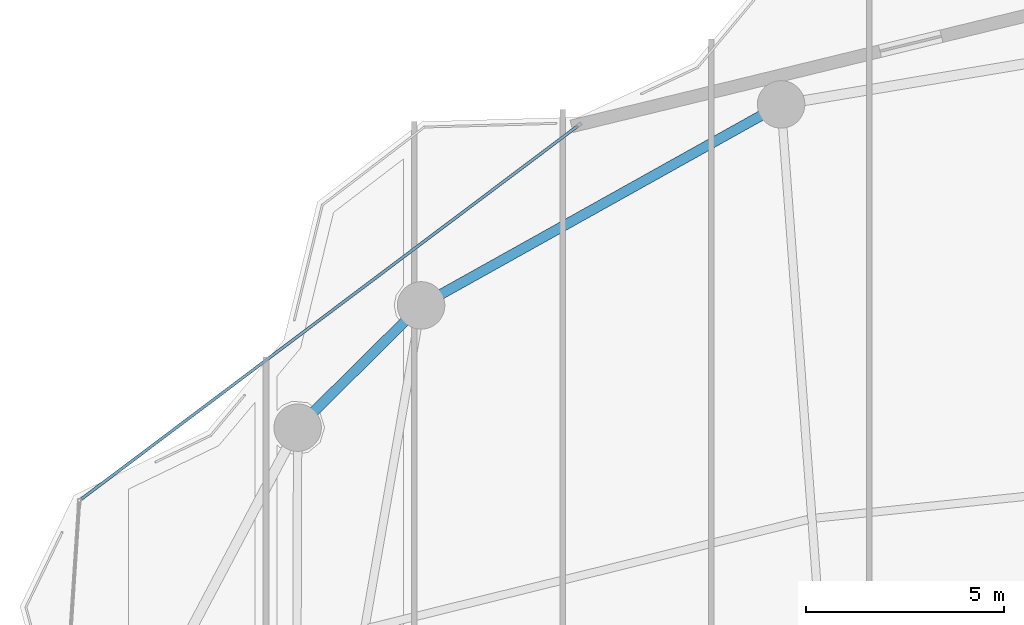
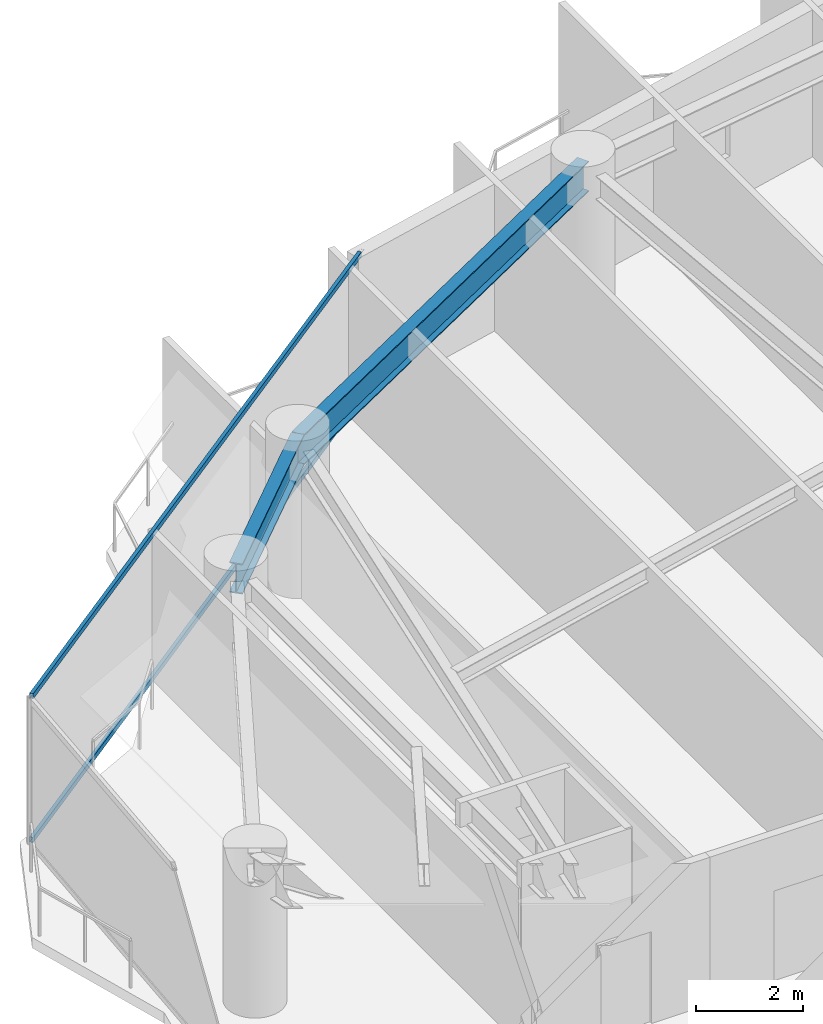
# One storey, part 17 of 31: 2 beams, 2 members, 1 element without a shape of its own.
"""IFC4 building model written with IfcOpenShell, lengths in metres."""

import ifcopenshell
import ifcopenshell.guid

model = None  # the IFC model being written
_history = None  # IfcOwnerHistory: only IFC2X3 demands one
_inside = {}  # id of a spatial element -> (the spatial element, [elements in it])
_under = {}  # id of a project, library or spatial element -> (it, [spatial elements below it])
_declared = {}  # id of a project -> (the project, [libraries it declares])
_typed = {}  # id of a type object -> (the type object, [elements of that type])
_made_of = {}  # id of a material, layer set ... -> (it, [elements and type objects made of it])


def new_model(schema):
    """Start an empty IFC model of exactly this schema.

    Asked for "IFC4X3", IfcOpenShell would pick the latest addendum, in which some entities
    have other attributes; the version numbers below select the first issue.
    IFC2X3 requires an IfcOwnerHistory on every rooted entity: one is made here for all.
    """
    global model, _history
    if schema == "IFC4X3":
        model = ifcopenshell.file(schema_version=(4, 3, 0, 0))
    else:
        model = ifcopenshell.file(schema=schema)
    _inside.clear()
    _under.clear()
    _declared.clear()
    _typed.clear()
    _made_of.clear()
    _history = None
    if model.schema == "IFC2X3":
        org = make("IfcOrganization", Name="unknown")
        user = make(
            "IfcPersonAndOrganization",
            ThePerson=make("IfcPerson", FamilyName="unknown"),
            TheOrganization=org,
        )
        app = make(
            "IfcApplication",
            ApplicationDeveloper=org,
            Version="unknown",
            ApplicationFullName="unknown",
            ApplicationIdentifier="unknown",
        )
        _history = make(
            "IfcOwnerHistory",
            OwningUser=user,
            OwningApplication=app,
            ChangeAction="ADDED",
            CreationDate=0,
        )
    return model


def make(cls, **values):
    """One entity of the class cls with the attributes given. An attribute that is None is left unset."""
    return model.create_entity(
        cls, **{name: value for name, value in values.items() if value is not None}
    )


def rooted(cls, **values):
    """An entity with a GlobalId (a new one), such as an element, a storey or a relation."""
    return make(cls, GlobalId=ifcopenshell.guid.new(), OwnerHistory=_history, **values)


def si_unit(unit_type, name, prefix=None):
    """IfcSIUnit, for example si_unit("LENGTHUNIT", "METRE", prefix="MILLI")."""
    return make("IfcSIUnit", UnitType=unit_type, Prefix=prefix, Name=name)


def assignment(units):
    """IfcUnitAssignment: the units of a project."""
    return None if units is None else make("IfcUnitAssignment", Units=units)


def point(xyz):
    """IfcCartesianPoint."""
    return None if xyz is None else make("IfcCartesianPoint", Coordinates=xyz)


def direction(xyz):
    """IfcDirection."""
    return None if xyz is None else make("IfcDirection", DirectionRatios=xyz)


def frame(location, z_axis=None, x_axis=None):
    """IfcAxis2Placement3D, a coordinate frame: its origin and axes. An axis left out is left unset."""
    return make(
        "IfcAxis2Placement3D",
        Location=point(location),
        Axis=direction(z_axis),
        RefDirection=direction(x_axis),
    )


def frame_2d(location, x_axis=None):
    """IfcAxis2Placement2D, a coordinate frame in the plane: its origin and x axis."""
    return make(
        "IfcAxis2Placement2D", Location=point(location), RefDirection=direction(x_axis)
    )


def origin():
    """The frame at (0, 0, 0) with its axes left unset."""
    return frame((0.0, 0.0, 0.0))


def origin_2d():
    """The frame at (0, 0) in the plane with its x axis left unset."""
    return frame_2d((0.0, 0.0))


def place(relative_to, where):
    """IfcLocalPlacement: puts the frame where relative to a parent placement (None: the world)."""
    return make(
        "IfcLocalPlacement", PlacementRelTo=relative_to, RelativePlacement=where
    )


def context(
    kind, dimensions, precision=None, world=None, true_north=None, identifier=None
):
    """IfcGeometricRepresentationContext, for example the 3D "Model" context."""
    return make(
        "IfcGeometricRepresentationContext",
        ContextIdentifier=identifier,
        ContextType=kind,
        CoordinateSpaceDimension=dimensions,
        Precision=precision,
        WorldCoordinateSystem=world,
        TrueNorth=true_north,
    )


def subcontext(parent, identifier, kind, view, scale=None):
    """IfcGeometricRepresentationSubContext, for example "Body" below "Model"."""
    return make(
        "IfcGeometricRepresentationSubContext",
        ContextIdentifier=identifier,
        ContextType=kind,
        ParentContext=parent,
        TargetScale=scale,
        TargetView=view,
    )


def project(units=None, contexts=None):
    """IfcProject with its units and contexts."""
    return rooted(
        "IfcProject",
        Name="project",
        RepresentationContexts=contexts,
        UnitsInContext=assignment(units),
    )


def spatial(cls, under=None, at=None, **own):
    """A site, building, storey or space (cls), placed at a placement, below another one or the project."""
    s = rooted(cls, ObjectPlacement=at, **own)
    if under is not None:
        _under.setdefault(under.id(), (under, []))[1].append(s)
    return s


def profile(cls, at=None, kind="AREA", **sizes):
    """A parametric profile (cls). Its sizes go by their IFC names, for example OverallWidth=200.0."""
    return make(cls, ProfileType=kind, Position=at, **sizes)


def hollow_rectangle(**sizes):
    """IfcRectangleHollowProfileDef."""
    return profile("IfcRectangleHollowProfileDef", **sizes)


def i_section(**sizes):
    """IfcIShapeProfileDef."""
    return profile("IfcIShapeProfileDef", **sizes)


def extrude(swept, where, along, depth):
    """IfcExtrudedAreaSolid: the profile swept, set in the frame where, extruded along a direction by depth."""
    return make(
        "IfcExtrudedAreaSolid",
        SweptArea=swept,
        Position=where,
        ExtrudedDirection=direction(along),
        Depth=depth,
    )


def shape(context_of_items, identifier, shape_type, items):
    """IfcShapeRepresentation: the items that make up one representation, for example the "Body"."""
    return make(
        "IfcShapeRepresentation",
        ContextOfItems=context_of_items,
        RepresentationIdentifier=identifier,
        RepresentationType=shape_type,
        Items=items,
    )


def material(Name=None, Category=None):
    """IfcMaterial."""
    return make("IfcMaterial", Name=Name, Category=Category)


def layer(
    of_material, thickness, ventilated=None, Name=None, Category=None, Priority=None
):
    """IfcMaterialLayer: one layer of a wall or slab, of a material (None: an air gap)."""
    return make(
        "IfcMaterialLayer",
        Material=of_material,
        LayerThickness=thickness,
        IsVentilated=ventilated,
        Name=Name,
        Category=Category,
        Priority=Priority,
    )


def layer_set(layers, Name=None):
    """IfcMaterialLayerSet."""
    return make("IfcMaterialLayerSet", MaterialLayers=layers, LayerSetName=Name)


def material_profile(
    of_material, cross_section, Name=None, Category=None, Priority=None
):
    """IfcMaterialProfile: a cross section and its material."""
    return make(
        "IfcMaterialProfile",
        Name=Name,
        Material=of_material,
        Profile=cross_section,
        Priority=Priority,
        Category=Category,
    )


def profile_set(profiles, Name=None, composite=None):
    """IfcMaterialProfileSet."""
    return make(
        "IfcMaterialProfileSet",
        Name=Name,
        MaterialProfiles=profiles,
        CompositeProfile=composite,
    )


def made_of(thing, what):
    """Note that an element or type object is made of a material, layer set ...; save() writes the relation."""
    if what is not None:
        _made_of.setdefault(what.id(), (what, []))[1].append(thing)
    return thing


def type_object(cls, material=None, **own):
    """A type object (cls), such as IfcWallType, which elements share."""
    return made_of(rooted(cls, **own), material)


def element(
    cls,
    number,
    at=None,
    inside=None,
    cuts=None,
    type_object=None,
    material=None,
    context=None,
    identifier="Body",
    shape_type=None,
    held_by="IfcProductDefinitionShape",
    body=None,
    shapes=None,
    **own,
):
    """One element of the class cls, such as IfcWall. Its Tag is "e" and its number.

    at: its placement. inside: the storey or other place that contains it. cuts: it is an
    opening in that element (IfcRelVoidsElement). A single representation is given by context,
    identifier, shape_type and body (its items); several are given by shapes. held_by: the class
    of the entity that holds the representations. save() writes the other relations.
    """
    e = rooted(cls, Tag="e%d" % number, ObjectPlacement=at, **own)
    if body is not None:
        shapes = [shape(context, identifier, shape_type, body)]
    if shapes is not None:
        e.Representation = make(held_by, Representations=shapes)
    if inside is not None:
        _inside.setdefault(inside.id(), (inside, []))[1].append(e)
    if cuts is not None:
        rooted(
            "IfcRelVoidsElement", RelatingBuildingElement=cuts, RelatedOpeningElement=e
        )
    if type_object is not None:
        _typed.setdefault(type_object.id(), (type_object, []))[1].append(e)
    return made_of(e, material)


def aggregate(whole, parts):
    """IfcRelAggregates: a whole, such as a stair, and the parts it consists of."""
    return rooted("IfcRelAggregates", RelatingObject=whole, RelatedObjects=parts)


def save(model, path):
    """Write the relations noted so far, then the file.

    IfcRelAggregates (storeys below a building ...), IfcRelContainedInSpatialStructure (elements
    in a storey), IfcRelDefinesByType, IfcRelAssociatesMaterial and IfcRelDeclares: one each for
    every whole, place, type object, material and project.
    """
    for whole, parts in _under.values():
        aggregate(whole, parts)
    for where, things in _inside.values():
        rooted(
            "IfcRelContainedInSpatialStructure",
            RelatedElements=things,
            RelatingStructure=where,
        )
    for kind, things in _typed.values():
        rooted("IfcRelDefinesByType", RelatedObjects=things, RelatingType=kind)
    for what, things in _made_of.values():
        rooted("IfcRelAssociatesMaterial", RelatedObjects=things, RelatingMaterial=what)
    for by, libraries in _declared.values():
        rooted("IfcRelDeclares", RelatingContext=by, RelatedDefinitions=libraries)
    model.write(path)


model = new_model("IFC4")

# Units and contexts
model_context = context("Model", 3, precision=1e-05, world=origin(), true_north=direction((0.0, 1.0)))
body_context = subcontext(model_context, "Body", "Model", "MODEL_VIEW")
ifc_project = project(units=[si_unit("LENGTHUNIT", "METRE"), si_unit("AREAUNIT", "SQUARE_METRE"), si_unit("VOLUMEUNIT", "CUBIC_METRE"), si_unit("PLANEANGLEUNIT", "RADIAN"), si_unit("MASSUNIT", "GRAM", prefix="KILO")], contexts=[model_context])

# Site, building, storey
site_placement = place(None, origin())
site = spatial("IfcSite", under=ifc_project, at=site_placement, CompositionType="ELEMENT")
building_placement = place(site_placement, origin())
building = spatial("IfcBuilding", under=site, at=building_placement, Name="Kazevale Care Tower and Concert Hall", CompositionType="ELEMENT")
storey_placement = place(building_placement, frame((0.0, 0.0, 117.0)))
storey = spatial("IfcBuildingStorey", under=building, at=storey_placement, Name="L30", CompositionType="ELEMENT", Elevation=117.0)

# Curtain wall, members
ifc_material_1 = material(Name="Aluminium 6063-T6 and Low-E Glass", Category="aluminium")
ifc_layer = layer(ifc_material_1, 0.179931640625)
ifc_layer_set = layer_set([ifc_layer], Name="Aluminium 6063-T6 and Low-E Glass")
curtain_wall_type = type_object("IfcCurtainWallType", Name="Convex Recessed Sunroom Curtain Wall CW-3", PredefinedType="NOTDEFINED", material=ifc_layer_set)
curtain_wall_placement = place(storey_placement, origin())
curtain_wall = element("IfcCurtainWall", 1, at=curtain_wall_placement, inside=storey, type_object=curtain_wall_type, Name="cw:L30:f14", PredefinedType="NOTDEFINED")
ifc_material_2 = material(Name="Aluminium 6063-T6", Category="aluminium")
ifc_material_profile_1 = material_profile(ifc_material_2, hollow_rectangle(XDim=0.074951171875, YDim=0.1201171875, WallThickness=0.00390625, at=origin_2d()), Name="ALU75x120x4")
ifc_profile_set_1 = profile_set([ifc_material_profile_1], Name="Aluminium 6063-T6")
member_type = type_object("IfcMemberType", Name="CW-3 Transom ALU75x120x4", PredefinedType="USERDEFINED", material=ifc_profile_set_1)
member_1_placement = place(storey_placement, frame((16.5888671875, 49.68994140625, 0.03759765625), z_axis=(0.79939444404, 0.600806560249, 0.0), x_axis=(-0.600806560249, 0.79939444404, 0.0)))
member_1 = element("IfcMember", 2, at=member_1_placement, type_object=member_type, Name="CW-3 transom 1.1", ObjectType="TRANSOM", PredefinedType="USERDEFINED", context=body_context, shape_type="SweptSolid", body=[
    extrude(hollow_rectangle(XDim=0.074951171875, YDim=0.1201171875, WallThickness=0.00390625, at=origin_2d()), origin(), (0.0, 0.0, 1.0), 15.685791015625),
])
member_2_placement = place(storey_placement, frame((16.5888671875, 49.68994140625, 3.322509765625), z_axis=(0.79939444404, 0.600806560249, 0.0), x_axis=(-0.600806560249, 0.79939444404, 0.0)))
member_2 = element("IfcMember", 3, at=member_2_placement, type_object=member_type, Name="CW-3 transom 1.2", ObjectType="TRANSOM", PredefinedType="USERDEFINED", context=body_context, shape_type="SweptSolid", body=[
    extrude(hollow_rectangle(XDim=0.074951171875, YDim=0.1201171875, WallThickness=0.00390625, at=origin_2d()), origin(), (0.0, 0.0, 1.0), 15.685791015625),
])
aggregate(curtain_wall, [member_1, member_2])

# Beams
ifc_material_3 = material(Name="Steel ASTM A572 Gr 50", Category="steel")
ifc_material_profile_2 = material_profile(ifc_material_3, i_section(OverallWidth=0.256103515625, OverallDepth=0.693115234375, WebThickness=0.014404296875, FlangeThickness=0.023681640625, at=origin_2d()), Name="W690x170")
ifc_profile_set_2 = profile_set([ifc_material_profile_2], Name="Steel ASTM A572 Gr 50")
beam_type = type_object("IfcBeamType", Name="Waist Ring Beam W690x170", PredefinedType="BEAM", material=ifc_profile_set_2)
beam_1_placement = place(storey_placement, frame((34.27001953125, 59.659912109375, 3.013427734375), z_axis=(-0.873168720251, -0.487418081297, 0.0), x_axis=(0.487418081297, -0.873168720251, 0.0)))
element("IfcBeam", 4, at=beam_1_placement, inside=storey, type_object=beam_type, Name="beam:L30:ring:06", PredefinedType="BEAM", context=body_context, shape_type="SweptSolid", body=[
    extrude(i_section(OverallWidth=0.256103515625, OverallDepth=0.693115234375, WebThickness=0.014404296875, FlangeThickness=0.023681640625, at=origin_2d()), origin(), (0.0, 0.0, 1.0), 10.421875),
])
beam_2_placement = place(storey_placement, frame((25.169921875, 54.580078125, 3.013427734375), z_axis=(-0.710490141585, -0.703707154085, 0.0), x_axis=(0.703707154085, -0.710490141585, 0.0)))
element("IfcBeam", 5, at=beam_2_placement, inside=storey, type_object=beam_type, Name="beam:L30:ring:07", PredefinedType="BEAM", context=body_context, shape_type="SweptSolid", body=[
    extrude(i_section(OverallWidth=0.256103515625, OverallDepth=0.693115234375, WebThickness=0.014404296875, FlangeThickness=0.023681640625, at=origin_2d()), origin(), (0.0, 0.0, 1.0), 4.39111328125),
])

save(model, "model.ifc")
